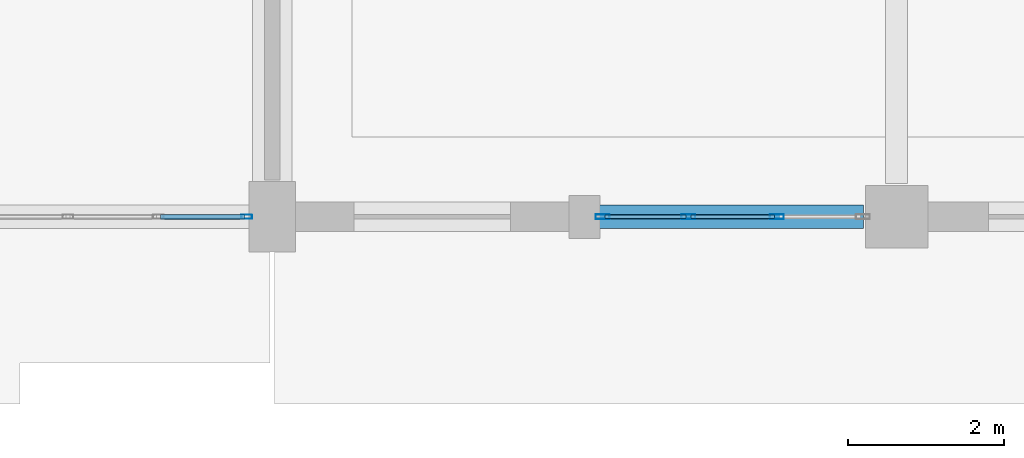
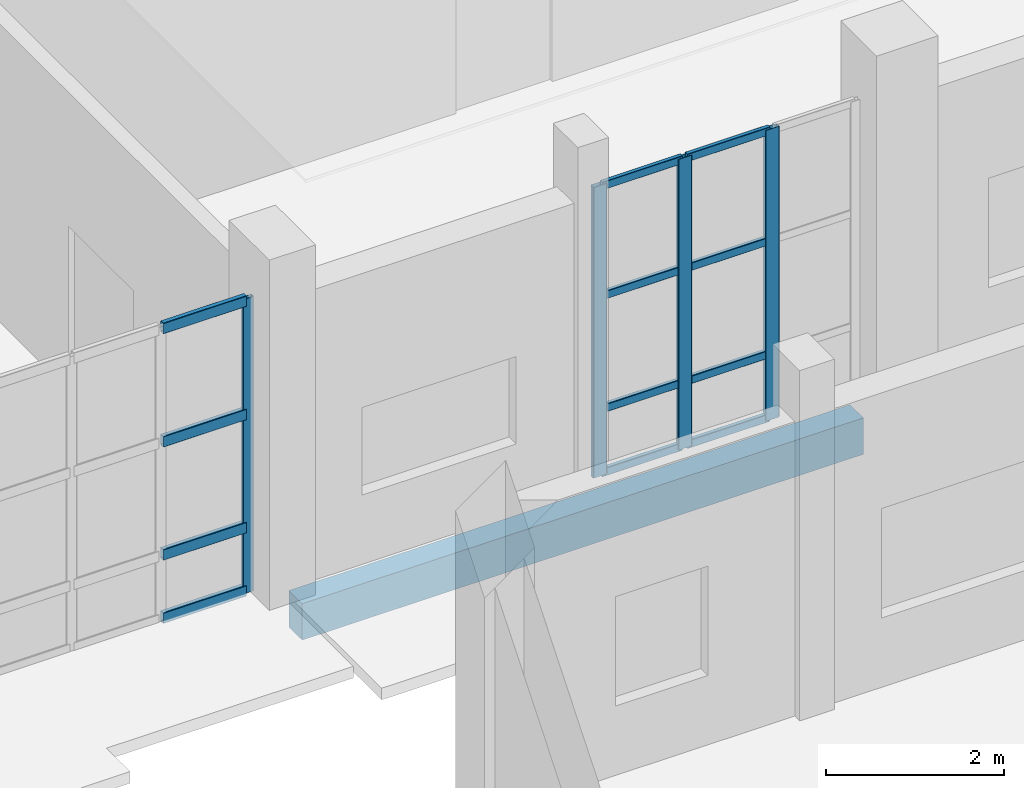
# One storey, part 89 of 156: 16 members, 1 beam, 2 elements without a shape of their own.
"""IFC4 building model written with IfcOpenShell, lengths in metres."""

from ifc_helpers import new_model, si_unit, direction, frame, origin, origin_2d, place, context, subcontext, project, spatial, rectangle, hollow_rectangle, extrude, material, material_profile, profile_set, type_object, element, aggregate, save


model = new_model("IFC4")

# Units and contexts
model_context = context("Model", 3, precision=1e-05, world=origin(), true_north=direction((0.0, 1.0)))
body_context = subcontext(model_context, "Body", "Model", "MODEL_VIEW")
ifc_project = project(units=[si_unit("LENGTHUNIT", "METRE"), si_unit("AREAUNIT", "SQUARE_METRE"), si_unit("VOLUMEUNIT", "CUBIC_METRE"), si_unit("PLANEANGLEUNIT", "RADIAN"), si_unit("MASSUNIT", "GRAM", prefix="KILO")], contexts=[model_context])

# Site, building, storey
site_placement = place(None, origin())
site = spatial("IfcSite", under=ifc_project, at=site_placement, CompositionType="ELEMENT")
building_placement = place(site_placement, origin())
building = spatial("IfcBuilding", under=site, at=building_placement, Name="Luwemba Playhouse", CompositionType="ELEMENT")
storey_placement = place(building_placement, origin())
storey = spatial("IfcBuildingStorey", under=building, at=storey_placement, Name="L00", CompositionType="ELEMENT", Elevation=0.0)

# Beam
ifc_material_1 = material(Name="Concrete C40/50", Category="concrete")
ifc_material_profile_1 = material_profile(ifc_material_1, rectangle(XDim=0.300048828125, YDim=0.5, at=origin_2d()))
ifc_profile_set_1 = profile_set([ifc_material_profile_1], Name="Concrete C40/50")
beam_type = type_object("IfcBeamType", Name="BM-SP1", PredefinedType="SPANDREL", material=ifc_profile_set_1)
beam_placement = place(storey_placement, frame((132.300048828125, 95.0, -0.550048828125), z_axis=(1.0, 0.0, 0.0), x_axis=(0.0, 1.0, 0.0)))
element("IfcBeam", 1, at=beam_placement, inside=storey, type_object=beam_type, Name="L00 grid girder 0300", PredefinedType="SPANDREL", context=body_context, shape_type="SweptSolid", body=[
    extrude(rectangle(XDim=0.300048828125, YDim=0.5, at=origin_2d()), origin(), (0.0, 0.0, 1.0), 7.27490234375),
])

# Curtain wall, members
ifc_material_2 = material(Name="Solar-control double glazing", Category="glass")
curtain_wall_type_1 = type_object("IfcCurtainWallType", Name="CW-CW26", PredefinedType="USERDEFINED", material=ifc_material_2)
curtain_wall_1_placement = place(storey_placement, origin())
curtain_wall_1 = element("IfcCurtainWall", 2, at=curtain_wall_1_placement, inside=storey, type_object=curtain_wall_type_1, Name="L00 V6E unitised curtain wall 092", ObjectType="UNITISED GLAZING", PredefinedType="USERDEFINED")
ifc_material_3 = material(Name="Aluminium 6063-T6", Category="aluminium")
ifc_material_profile_2 = material_profile(ifc_material_3, hollow_rectangle(XDim=0.06494140625, YDim=0.179931640625, WallThickness=0.00439453125, InnerFilletRadius=0.0068359375, OuterFilletRadius=0.01123046875, at=origin_2d()))
ifc_profile_set_2 = profile_set([ifc_material_profile_2], Name="Aluminium 6063-T6")
member_type_1 = type_object("IfcMemberType", Name="CWM-M2", PredefinedType="MULLION", material=ifc_profile_set_2)
member_1_placement = place(storey_placement, frame((138.466552734375, 95.0, 0.0), z_axis=(0.0, 0.0, 1.0), x_axis=(0.0, -1.0, 0.0)))
member_1 = element("IfcMember", 3, at=member_1_placement, type_object=member_type_1, Name="CW26 mullion 2", PredefinedType="MULLION", context=body_context, shape_type="SweptSolid", body=[
    extrude(hollow_rectangle(XDim=0.06494140625, YDim=0.179931640625, WallThickness=0.00439453125, InnerFilletRadius=0.0068359375, OuterFilletRadius=0.01123046875, at=origin_2d()), origin(), (0.0, 0.0, 1.0), 3.985107421875),
])
member_2_placement = place(storey_placement, frame((137.333251953125, 95.0, 0.0), z_axis=(0.0, 0.0, 1.0), x_axis=(0.0, -1.0, 0.0)))
member_2 = element("IfcMember", 4, at=member_2_placement, type_object=member_type_1, Name="CW26 mullion 3", PredefinedType="MULLION", context=body_context, shape_type="SweptSolid", body=[
    extrude(hollow_rectangle(XDim=0.06494140625, YDim=0.179931640625, WallThickness=0.00439453125, InnerFilletRadius=0.0068359375, OuterFilletRadius=0.01123046875, at=origin_2d()), origin(), (0.0, 0.0, 1.0), 3.985107421875),
])
member_3_placement = place(storey_placement, frame((136.232421875, 95.0, 0.0), z_axis=(0.0, 0.0, 1.0), x_axis=(0.0, -1.0, 0.0)))
member_3 = element("IfcMember", 5, at=member_3_placement, type_object=member_type_1, Name="CW26 mullion 4", PredefinedType="MULLION", context=body_context, shape_type="SweptSolid", body=[
    extrude(hollow_rectangle(XDim=0.06494140625, YDim=0.179931640625, WallThickness=0.00439453125, InnerFilletRadius=0.0068359375, OuterFilletRadius=0.01123046875, at=origin_2d()), origin(), (0.0, 0.0, 1.0), 3.985107421875),
])

# Curtain wall, member
curtain_wall_type_2 = type_object("IfcCurtainWallType", Name="CW-CW17", PredefinedType="USERDEFINED", material=ifc_material_2)
curtain_wall_2_placement = place(storey_placement, origin())
curtain_wall_2 = element("IfcCurtainWall", 6, at=curtain_wall_2_placement, inside=storey, type_object=curtain_wall_type_2, Name="L00 V6E unitised curtain wall 093", ObjectType="UNITISED GLAZING", PredefinedType="USERDEFINED")
ifc_material_profile_3 = material_profile(ifc_material_3, hollow_rectangle(XDim=0.054931640625, YDim=0.139892578125, WallThickness=0.00390625, InnerFilletRadius=0.006103515625, OuterFilletRadius=0.010009765625, at=origin_2d()))
ifc_profile_set_3 = profile_set([ifc_material_profile_3], Name="Aluminium 6063-T6")
member_type_2 = type_object("IfcMemberType", Name="CWM-M3", PredefinedType="MULLION", material=ifc_profile_set_3)
member_4_placement = place(storey_placement, frame((131.672607421875, 95.0, 0.0), z_axis=(0.0, 0.0, 1.0), x_axis=(0.0, -1.0, 0.0)))
member_4 = element("IfcMember", 7, at=member_4_placement, type_object=member_type_2, Name="CW17 mullion 1", PredefinedType="MULLION", context=body_context, shape_type="SweptSolid", body=[
    extrude(hollow_rectangle(XDim=0.054931640625, YDim=0.139892578125, WallThickness=0.00390625, InnerFilletRadius=0.006103515625, OuterFilletRadius=0.010009765625, at=origin_2d()), origin(), (0.0, 0.0, 1.0), 4.034912109375),
])

# Member
ifc_material_profile_4 = material_profile(ifc_material_3, hollow_rectangle(XDim=0.054931640625, YDim=0.110107421875, WallThickness=0.00341796875, InnerFilletRadius=0.00537109375, OuterFilletRadius=0.0087890625, at=origin_2d()))
ifc_profile_set_4 = profile_set([ifc_material_profile_4], Name="Aluminium 6063-T6")
member_type_3 = type_object("IfcMemberType", Name="CWT-T2", PredefinedType="USERDEFINED", material=ifc_profile_set_4)
member_5_placement = place(storey_placement, frame((138.43408203125, 95.0, 0.027587890625), z_axis=(-1.0, 0.0, 0.0), x_axis=(0.0, -1.0, 0.0)))
member_5 = element("IfcMember", 8, at=member_5_placement, type_object=member_type_3, Name="CW26 transom 2.1", ObjectType="TRANSOM", PredefinedType="USERDEFINED", context=body_context, shape_type="SweptSolid", body=[
    extrude(hollow_rectangle(XDim=0.054931640625, YDim=0.110107421875, WallThickness=0.00341796875, InnerFilletRadius=0.00537109375, OuterFilletRadius=0.0087890625, at=origin_2d()), origin(), (0.0, 0.0, 1.0), 1.068359375),
])

member_6_placement = place(storey_placement, frame((138.43408203125, 95.0, 0.89990234375), z_axis=(-1.0, 0.0, 0.0), x_axis=(0.0, -1.0, 0.0)))
member_6 = element("IfcMember", 9, at=member_6_placement, type_object=member_type_3, Name="CW26 transom 2.2", ObjectType="TRANSOM", PredefinedType="USERDEFINED", context=body_context, shape_type="SweptSolid", body=[
    extrude(hollow_rectangle(XDim=0.054931640625, YDim=0.110107421875, WallThickness=0.00341796875, InnerFilletRadius=0.00537109375, OuterFilletRadius=0.0087890625, at=origin_2d()), origin(), (0.0, 0.0, 1.0), 1.068359375),
])

member_7_placement = place(storey_placement, frame((138.43408203125, 95.0, 2.449951171875), z_axis=(-1.0, 0.0, 0.0), x_axis=(0.0, -1.0, 0.0)))
member_7 = element("IfcMember", 10, at=member_7_placement, type_object=member_type_3, Name="CW26 transom 2.3", ObjectType="TRANSOM", PredefinedType="USERDEFINED", context=body_context, shape_type="SweptSolid", body=[
    extrude(hollow_rectangle(XDim=0.054931640625, YDim=0.110107421875, WallThickness=0.00341796875, InnerFilletRadius=0.00537109375, OuterFilletRadius=0.0087890625, at=origin_2d()), origin(), (0.0, 0.0, 1.0), 1.068359375),
])

member_8_placement = place(storey_placement, frame((138.43408203125, 95.0, 3.95751953125), z_axis=(-1.0, 0.0, 0.0), x_axis=(0.0, -1.0, 0.0)))
member_8 = element("IfcMember", 11, at=member_8_placement, type_object=member_type_3, Name="CW26 transom 2.4", ObjectType="TRANSOM", PredefinedType="USERDEFINED", context=body_context, shape_type="SweptSolid", body=[
    extrude(hollow_rectangle(XDim=0.054931640625, YDim=0.110107421875, WallThickness=0.00341796875, InnerFilletRadius=0.00537109375, OuterFilletRadius=0.0087890625, at=origin_2d()), origin(), (0.0, 0.0, 1.0), 1.068359375),
])

member_9_placement = place(storey_placement, frame((137.30078125, 95.0, 0.027587890625), z_axis=(-1.0, 0.0, 0.0), x_axis=(0.0, -1.0, 0.0)))
member_9 = element("IfcMember", 12, at=member_9_placement, type_object=member_type_3, Name="CW26 transom 3.1", ObjectType="TRANSOM", PredefinedType="USERDEFINED", context=body_context, shape_type="SweptSolid", body=[
    extrude(hollow_rectangle(XDim=0.054931640625, YDim=0.110107421875, WallThickness=0.00341796875, InnerFilletRadius=0.00537109375, OuterFilletRadius=0.0087890625, at=origin_2d()), origin(), (0.0, 0.0, 1.0), 1.035888671875),
])

member_10_placement = place(storey_placement, frame((137.30078125, 95.0, 0.89990234375), z_axis=(-1.0, 0.0, 0.0), x_axis=(0.0, -1.0, 0.0)))
member_10 = element("IfcMember", 13, at=member_10_placement, type_object=member_type_3, Name="CW26 transom 3.2", ObjectType="TRANSOM", PredefinedType="USERDEFINED", context=body_context, shape_type="SweptSolid", body=[
    extrude(hollow_rectangle(XDim=0.054931640625, YDim=0.110107421875, WallThickness=0.00341796875, InnerFilletRadius=0.00537109375, OuterFilletRadius=0.0087890625, at=origin_2d()), origin(), (0.0, 0.0, 1.0), 1.035888671875),
])

member_11_placement = place(storey_placement, frame((137.30078125, 95.0, 2.449951171875), z_axis=(-1.0, 0.0, 0.0), x_axis=(0.0, -1.0, 0.0)))
member_11 = element("IfcMember", 14, at=member_11_placement, type_object=member_type_3, Name="CW26 transom 3.3", ObjectType="TRANSOM", PredefinedType="USERDEFINED", context=body_context, shape_type="SweptSolid", body=[
    extrude(hollow_rectangle(XDim=0.054931640625, YDim=0.110107421875, WallThickness=0.00341796875, InnerFilletRadius=0.00537109375, OuterFilletRadius=0.0087890625, at=origin_2d()), origin(), (0.0, 0.0, 1.0), 1.035888671875),
])

member_12_placement = place(storey_placement, frame((137.30078125, 95.0, 3.95751953125), z_axis=(-1.0, 0.0, 0.0), x_axis=(0.0, -1.0, 0.0)))
member_12 = element("IfcMember", 15, at=member_12_placement, type_object=member_type_3, Name="CW26 transom 3.4", ObjectType="TRANSOM", PredefinedType="USERDEFINED", context=body_context, shape_type="SweptSolid", body=[
    extrude(hollow_rectangle(XDim=0.054931640625, YDim=0.110107421875, WallThickness=0.00341796875, InnerFilletRadius=0.00537109375, OuterFilletRadius=0.0087890625, at=origin_2d()), origin(), (0.0, 0.0, 1.0), 1.035888671875),
])

aggregate(curtain_wall_1, [member_1, member_2, member_3, member_5, member_6, member_7, member_8, member_9, member_10, member_11, member_12])

ifc_material_profile_5 = material_profile(ifc_material_3, hollow_rectangle(XDim=0.06494140625, YDim=0.14990234375, WallThickness=0.00390625, InnerFilletRadius=0.006103515625, OuterFilletRadius=0.010009765625, at=origin_2d()))
ifc_profile_set_5 = profile_set([ifc_material_profile_5], Name="Aluminium 6063-T6")
member_type_4 = type_object("IfcMemberType", Name="CWT-T3", PredefinedType="USERDEFINED", material=ifc_profile_set_5)
member_13_placement = place(storey_placement, frame((131.64501953125, 95.0, 0.032470703125), z_axis=(-1.0, 0.0, 0.0), x_axis=(0.0, -1.0, 0.0)))
member_13 = element("IfcMember", 16, at=member_13_placement, type_object=member_type_4, Name="CW17 transom 1.1", ObjectType="TRANSOM", PredefinedType="USERDEFINED", context=body_context, shape_type="SweptSolid", body=[
    extrude(hollow_rectangle(XDim=0.06494140625, YDim=0.14990234375, WallThickness=0.00390625, InnerFilletRadius=0.006103515625, OuterFilletRadius=0.010009765625, at=origin_2d()), origin(), (0.0, 0.0, 1.0), 1.075927734375),
])

member_14_placement = place(storey_placement, frame((131.64501953125, 95.0, 0.89990234375), z_axis=(-1.0, 0.0, 0.0), x_axis=(0.0, -1.0, 0.0)))
member_14 = element("IfcMember", 17, at=member_14_placement, type_object=member_type_4, Name="CW17 transom 1.2", ObjectType="TRANSOM", PredefinedType="USERDEFINED", context=body_context, shape_type="SweptSolid", body=[
    extrude(hollow_rectangle(XDim=0.06494140625, YDim=0.14990234375, WallThickness=0.00390625, InnerFilletRadius=0.006103515625, OuterFilletRadius=0.010009765625, at=origin_2d()), origin(), (0.0, 0.0, 1.0), 1.075927734375),
])

member_15_placement = place(storey_placement, frame((131.64501953125, 95.0, 2.449951171875), z_axis=(-1.0, 0.0, 0.0), x_axis=(0.0, -1.0, 0.0)))
member_15 = element("IfcMember", 18, at=member_15_placement, type_object=member_type_4, Name="CW17 transom 1.3", ObjectType="TRANSOM", PredefinedType="USERDEFINED", context=body_context, shape_type="SweptSolid", body=[
    extrude(hollow_rectangle(XDim=0.06494140625, YDim=0.14990234375, WallThickness=0.00390625, InnerFilletRadius=0.006103515625, OuterFilletRadius=0.010009765625, at=origin_2d()), origin(), (0.0, 0.0, 1.0), 1.075927734375),
])

member_16_placement = place(storey_placement, frame((131.64501953125, 95.0, 4.00244140625), z_axis=(-1.0, 0.0, 0.0), x_axis=(0.0, -1.0, 0.0)))
member_16 = element("IfcMember", 19, at=member_16_placement, type_object=member_type_4, Name="CW17 transom 1.4", ObjectType="TRANSOM", PredefinedType="USERDEFINED", context=body_context, shape_type="SweptSolid", body=[
    extrude(hollow_rectangle(XDim=0.06494140625, YDim=0.14990234375, WallThickness=0.00390625, InnerFilletRadius=0.006103515625, OuterFilletRadius=0.010009765625, at=origin_2d()), origin(), (0.0, 0.0, 1.0), 1.075927734375),
])

aggregate(curtain_wall_2, [member_4, member_13, member_14, member_15, member_16])

save(model, "model.ifc")
